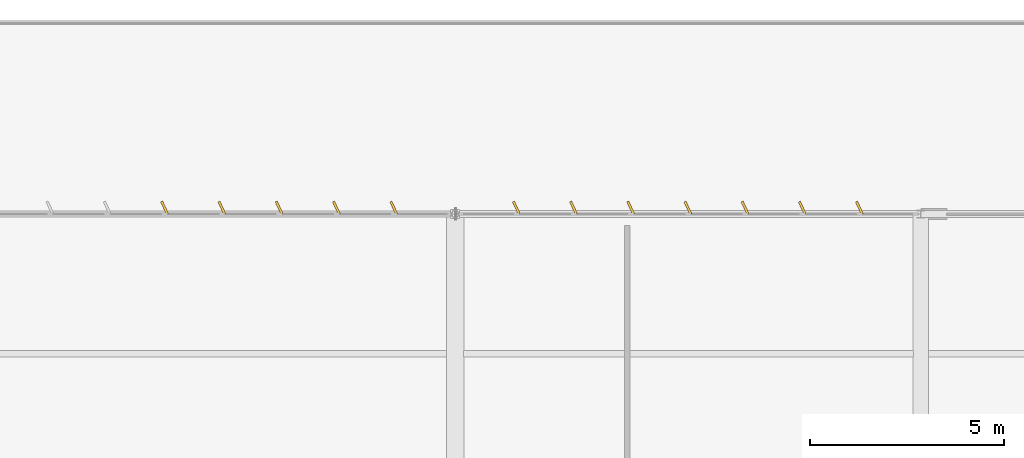
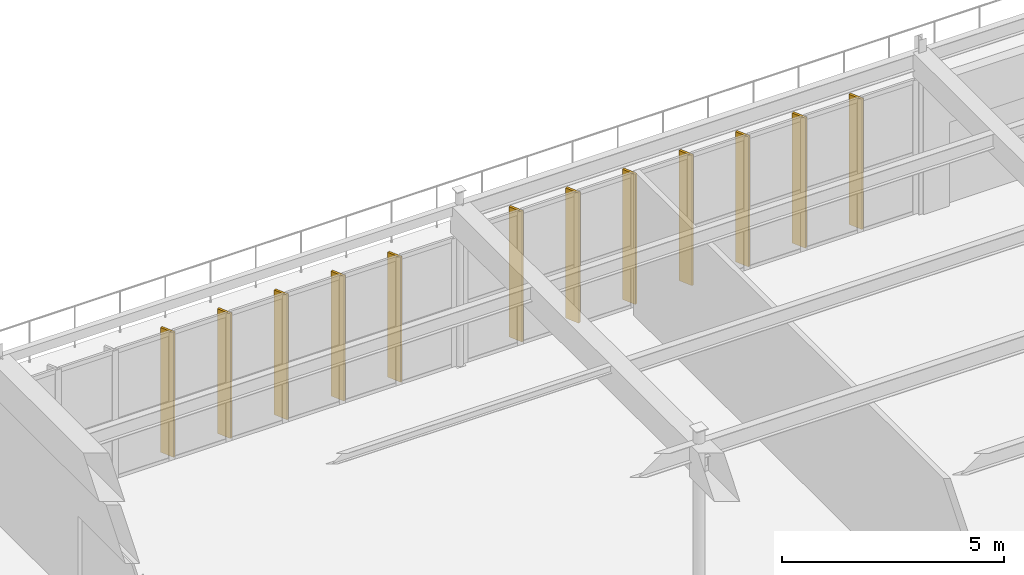
# One storey, part 197 of 199: 12 shading devices.
"""IFC4 building model written with IfcOpenShell, lengths in metres."""

from ifc_helpers import new_model, si_unit, direction, frame, origin, origin_2d, place, context, subcontext, project, spatial, rectangle, extrude, material, layer, layer_set, type_object, element, save


model = new_model("IFC4")

# Units and contexts
model_context = context("Model", 3, precision=1e-05, world=origin(), true_north=direction((0.0, 1.0)))
body_context = subcontext(model_context, "Body", "Model", "MODEL_VIEW")
ifc_project = project(units=[si_unit("LENGTHUNIT", "METRE"), si_unit("AREAUNIT", "SQUARE_METRE"), si_unit("VOLUMEUNIT", "CUBIC_METRE"), si_unit("PLANEANGLEUNIT", "RADIAN"), si_unit("MASSUNIT", "GRAM", prefix="KILO")], contexts=[model_context])

# Site, building, storey
site_placement = place(None, origin())
site = spatial("IfcSite", under=ifc_project, at=site_placement, CompositionType="ELEMENT")
building_placement = place(site_placement, origin())
building = spatial("IfcBuilding", under=site, at=building_placement, Name="Tarnwether General Hospital", CompositionType="ELEMENT")
storey_placement = place(building_placement, origin())
storey = spatial("IfcBuildingStorey", under=building, at=storey_placement, Name="L00", CompositionType="ELEMENT", Elevation=0.0)

# Shading devices
ifc_material = material(Name="Champagne-bronze anodised aluminium", Category="aluminium")
ifc_layer = layer(ifc_material, 0.06005859375)
ifc_layer_set = layer_set([ifc_layer], Name="Champagne-bronze anodised aluminium")
shading_device_type = type_object("IfcShadingDeviceType", Name="SH-FIN-BRZ", PredefinedType="USERDEFINED", material=ifc_layer_set)
for number, where, z_axis, x_axis, name in (
    (1, (148.512939453125, 126.159912109375, 0.0498046875), (0.0, 0.0, 1.0), (0.906307787037, 0.422618261741, 0.0), "Champagne-Bronze Brise-Soleil Fin 0035"),
    (2, (149.989990234375, 126.159912109375, 0.0498046875), (0.0, 0.0, 1.0), (0.906307787037, 0.422618261741, 0.0), "Champagne-Bronze Brise-Soleil Fin 0036"),
    (3, (151.466064453125, 126.159912109375, 0.0498046875), (0.0, 0.0, 1.0), (0.906307787037, 0.422618261741, 0.0), "Champagne-Bronze Brise-Soleil Fin 0037"),
    (4, (152.94189453125, 126.159912109375, 0.0498046875), (0.0, 0.0, 1.0), (0.906307787037, 0.422618261741, 0.0), "Champagne-Bronze Brise-Soleil Fin 0038"),
    (5, (154.4189453125, 126.159912109375, 0.0498046875), (0.0, 0.0, 1.0), (0.906307787037, 0.422618261741, 0.0), "Champagne-Bronze Brise-Soleil Fin 0039"),
):
    element("IfcShadingDevice", number, at=place(storey_placement, frame(where, z_axis=z_axis, x_axis=x_axis)), inside=storey, type_object=shading_device_type, Name=name, ObjectType="SOLAR FIN", PredefinedType="USERDEFINED", context=body_context, shape_type="SweptSolid", body=[
        extrude(rectangle(XDim=0.06005859375, YDim=0.360107421875, at=origin_2d()), origin(), (0.0, 0.0, 1.0), 3.429931640625),
    ])
for number, where, z_axis, x_axis, name in (
    (6, (157.577880859375, 126.159912109375, 0.050048828125), (0.0, 0.0, 1.0), (0.906307787037, 0.422618261741, 0.0), "Champagne-Bronze Brise-Soleil Fin 0040"),
    (7, (159.051025390625, 126.159912109375, 0.050048828125), (0.0, 0.0, 1.0), (0.906307787037, 0.422618261741, 0.0), "Champagne-Bronze Brise-Soleil Fin 0041"),
    (8, (160.52392578125, 126.159912109375, 0.050048828125), (0.0, 0.0, 1.0), (0.906307787037, 0.422618261741, 0.0), "Champagne-Bronze Brise-Soleil Fin 0042"),
    (9, (161.998046875, 126.159912109375, 0.050048828125), (0.0, 0.0, 1.0), (0.906307787037, 0.422618261741, 0.0), "Champagne-Bronze Brise-Soleil Fin 0043"),
    (10, (163.470947265625, 126.159912109375, 0.050048828125), (0.0, 0.0, 1.0), (0.906307787037, 0.422618261741, 0.0), "Champagne-Bronze Brise-Soleil Fin 0044"),
    (11, (164.944091796875, 126.159912109375, 0.050048828125), (0.0, 0.0, 1.0), (0.906307787037, 0.422618261741, 0.0), "Champagne-Bronze Brise-Soleil Fin 0045"),
    (12, (166.4169921875, 126.159912109375, 0.050048828125), (0.0, 0.0, 1.0), (0.906307787037, 0.422618261741, 0.0), "Champagne-Bronze Brise-Soleil Fin 0046"),
):
    element("IfcShadingDevice", number, at=place(storey_placement, frame(where, z_axis=z_axis, x_axis=x_axis)), inside=storey, type_object=shading_device_type, Name=name, ObjectType="SOLAR FIN", PredefinedType="USERDEFINED", context=body_context, shape_type="SweptSolid", body=[
        extrude(rectangle(XDim=0.06005859375, YDim=0.360107421875, at=origin_2d()), origin(), (0.0, 0.0, 1.0), 3.580078125),
    ])

save(model, "model.ifc")
